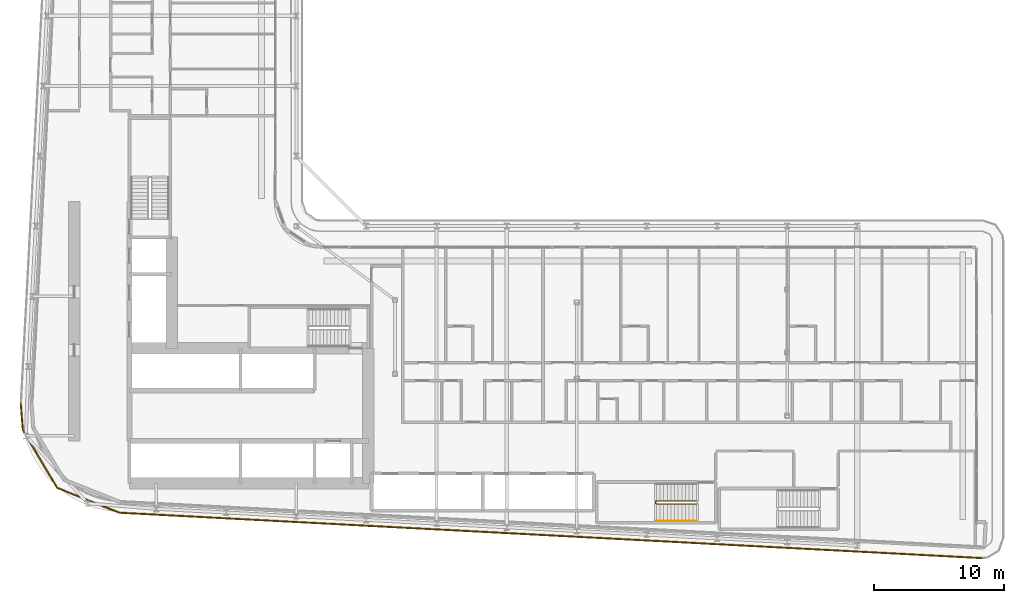
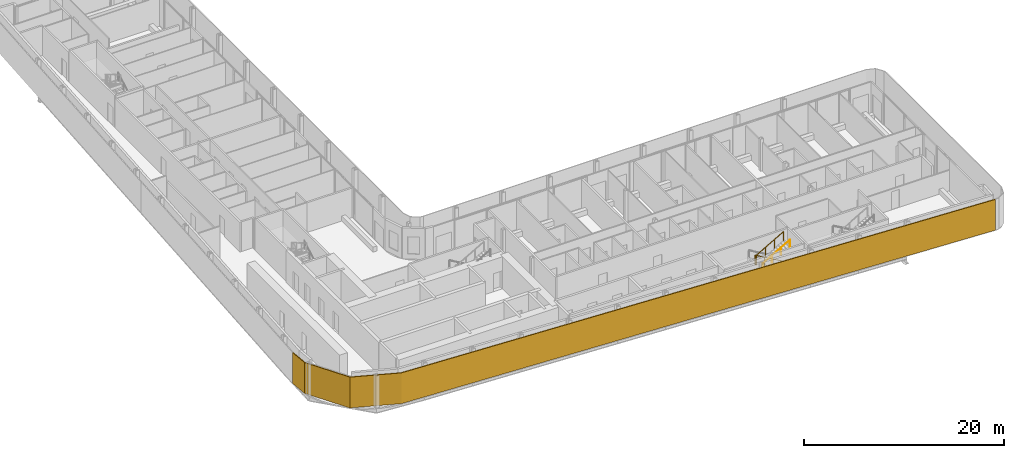
# One storey, part 25 of 29: 2 railings, 1 shading device.
"""IFC4 building model written with IfcOpenShell, lengths in metres."""

from ifc_helpers import new_model, si_unit, direction, frame, origin, origin_2d, place, context, subcontext, project, spatial, polyline, circle, outline, extrude, material, layer, layer_set, type_object, element, save


model = new_model("IFC4")

# Units and contexts
model_context = context("Model", 3, precision=1e-05, world=origin(), true_north=direction((0.0, 1.0)))
body_context = subcontext(model_context, "Body", "Model", "MODEL_VIEW")
ifc_project = project(units=[si_unit("LENGTHUNIT", "METRE"), si_unit("AREAUNIT", "SQUARE_METRE"), si_unit("VOLUMEUNIT", "CUBIC_METRE"), si_unit("PLANEANGLEUNIT", "RADIAN"), si_unit("MASSUNIT", "GRAM", prefix="KILO")], contexts=[model_context])

# Site, building, storey
site_placement = place(None, origin())
site = spatial("IfcSite", under=ifc_project, at=site_placement, CompositionType="ELEMENT")
building_placement = place(site_placement, origin())
building = spatial("IfcBuilding", under=site, at=building_placement, Name="Kheshtan School and Residences Tower", CompositionType="ELEMENT")
storey_placement = place(building_placement, frame((0.0, 0.0, 121.39990234375)))
storey = spatial("IfcBuildingStorey", under=building, at=storey_placement, Name="L28", CompositionType="ELEMENT", Elevation=121.39990234375)

# Shading device
ifc_material_1 = material(Name="Terracotta baguette, extruded ceramic", Category="masonry")
ifc_layer = layer(ifc_material_1, 0.10009765625)
ifc_layer_set = layer_set([ifc_layer], Name="Ledge screen, terracotta baguettes")
shading_device_type = type_object("IfcShadingDeviceType", Name="Ledge screen, terracotta baguettes", PredefinedType="USERDEFINED", material=ifc_layer_set)
shading_device_placement = place(storey_placement, origin())
element("IfcShadingDevice", 1, at=shading_device_placement, inside=storey, type_object=shading_device_type, Name="Screen L28 3", ObjectType="BAGUETTE", PredefinedType="USERDEFINED", context=body_context, shape_type="SweptSolid", body=[
    extrude(outline(polyline([(100.4208984375, 20.0830078125), (33.989013671875, 23.580078125), (29.2119140625, 25.486083984375), (26.583984375, 29.906982421875), (26.419921875, 31.989013671875), (26.320068359375, 31.98095703125), (26.486083984375, 29.8759765625), (29.14306640625, 25.406005859375), (33.967041015625, 23.48095703125), (100.416015625, 19.98291015625), (100.4208984375, 20.0830078125)])), origin(), (0.0, 0.0, 1.0), 3.75),
])

# Railings
ifc_material_2 = material(Name="Stainless steel balustrade", Category="steel")
railing_type_1 = type_object("IfcRailingType", Name="Stair guard 1100", PredefinedType="GUARDRAIL", material=ifc_material_2)
railing_1_placement = place(storey_placement, frame((78.409912109375, 24.449951171875, 0.16259765625)))
element("IfcRailing", 2, at=railing_1_placement, inside=storey, type_object=railing_type_1, Name="L28 ST5 stair guard 1", PredefinedType="GUARDRAIL", context=body_context, shape_type="SweptSolid", body=[
    extrude(circle(Radius=0.02392578125, at=origin_2d()), frame((0.0, 0.0, 1.076171875), z_axis=(-0.864873446163, 0.0, 0.501989962173), x_axis=(0.0, -1.0, 0.0)), (0.0, 0.0, 1.0), 3.56103515625),
    extrude(circle(Radius=0.02392578125, at=origin_2d()), frame((-3.079833984375, 0.0, 2.86376953125), z_axis=(-0.707106781187, -0.707106781187, 0.0), x_axis=(0.707106781187, -0.707106781187, 0.0)), (0.0, 0.0, 1.0), 0.07080078125),
    extrude(circle(Radius=0.02392578125, at=origin_2d()), frame((-3.1298828125, -0.050048828125, 2.86376953125), z_axis=(0.0, -1.0, 0.0), x_axis=(1.0, 0.0, 0.0)), (0.0, 0.0, 1.0), 0.14990234375),
    extrude(circle(Radius=0.02392578125, at=origin_2d()), frame((-3.1298828125, -0.199951171875, 2.86376953125), z_axis=(0.282583949758, -0.282583949758, 0.916674763849), x_axis=(0.707106781187, 0.707106781187, 0.0)), (0.0, 0.0, 1.0), 0.177001953125),
    extrude(circle(Radius=0.02392578125, at=origin_2d()), frame((-3.079833984375, -0.25, 3.02587890625), z_axis=(0.864873446163, 0.0, 0.501989962173), x_axis=(0.0, 1.0, 0.0)), (0.0, 0.0, 1.0), 3.56103515625),
    extrude(circle(Radius=0.02099609375, at=origin_2d()), origin(), (0.0, 0.0, 1.0), 1.052001953125),
    extrude(circle(Radius=0.02099609375, at=origin_2d()), frame((-1.026611328125, 0.0, 0.595947265625)), (0.0, 0.0, 1.0), 1.052001953125),
    extrude(circle(Radius=0.02099609375, at=origin_2d()), frame((-2.05322265625, 0.0, 1.191650390625)), (0.0, 0.0, 1.0), 1.052001953125),
    extrude(circle(Radius=0.02099609375, at=origin_2d()), frame((-3.079833984375, 0.0, 1.78759765625)), (0.0, 0.0, 1.0), 1.052001953125),
    extrude(circle(Radius=0.02099609375, at=origin_2d()), frame((-3.1298828125, -0.050048828125, 1.78759765625)), (0.0, 0.0, 1.0), 1.052001953125),
    extrude(circle(Radius=0.02099609375, at=origin_2d()), frame((-3.1298828125, -0.199951171875, 1.78759765625)), (0.0, 0.0, 1.0), 1.052001953125),
    extrude(circle(Radius=0.02099609375, at=origin_2d()), frame((-3.079833984375, -0.25, 1.949951171875)), (0.0, 0.0, 1.0), 1.052001953125),
    extrude(circle(Radius=0.02099609375, at=origin_2d()), frame((-2.05322265625, -0.25, 2.5458984375)), (0.0, 0.0, 1.0), 1.052001953125),
    extrude(circle(Radius=0.02099609375, at=origin_2d()), frame((-1.026611328125, -0.25, 3.1416015625)), (0.0, 0.0, 1.0), 1.052001953125),
    extrude(circle(Radius=0.02099609375, at=origin_2d()), frame((0.0, -0.25, 3.737548828125)), (0.0, 0.0, 1.0), 1.052001953125),
])
ifc_material_3 = material(Name="Stainless steel handrail", Category="steel")
railing_type_2 = type_object("IfcRailingType", Name="Stair handrail 900", PredefinedType="HANDRAIL", material=ifc_material_3)
railing_2_placement = place(storey_placement, frame((75.330078125, 22.89990234375, 2.112548828125)))
element("IfcRailing", 3, at=railing_2_placement, inside=storey, type_object=railing_type_2, Name="L28 ST5 stair handrail 2", PredefinedType="HANDRAIL", context=body_context, shape_type="SweptSolid", body=[
    extrude(circle(Radius=0.02392578125, at=origin_2d()), frame((0.0, 0.0, 0.8759765625), z_axis=(0.864873446163, 0.0, 0.501989962173), x_axis=(0.0, 1.0, 0.0)), (0.0, 0.0, 1.0), 3.56103515625),
    extrude(circle(Radius=0.02099609375, at=origin_2d()), origin(), (0.0, 0.0, 1.0), 0.851806640625),
    extrude(circle(Radius=0.02099609375, at=origin_2d()), frame((1.026611328125, 0.0, 0.595947265625)), (0.0, 0.0, 1.0), 0.851806640625),
    extrude(circle(Radius=0.02099609375, at=origin_2d()), frame((2.05322265625, 0.0, 1.191650390625)), (0.0, 0.0, 1.0), 0.851806640625),
    extrude(circle(Radius=0.02099609375, at=origin_2d()), frame((3.079833984375, 0.0, 1.78759765625)), (0.0, 0.0, 1.0), 0.851806640625),
])

save(model, "model.ifc")
